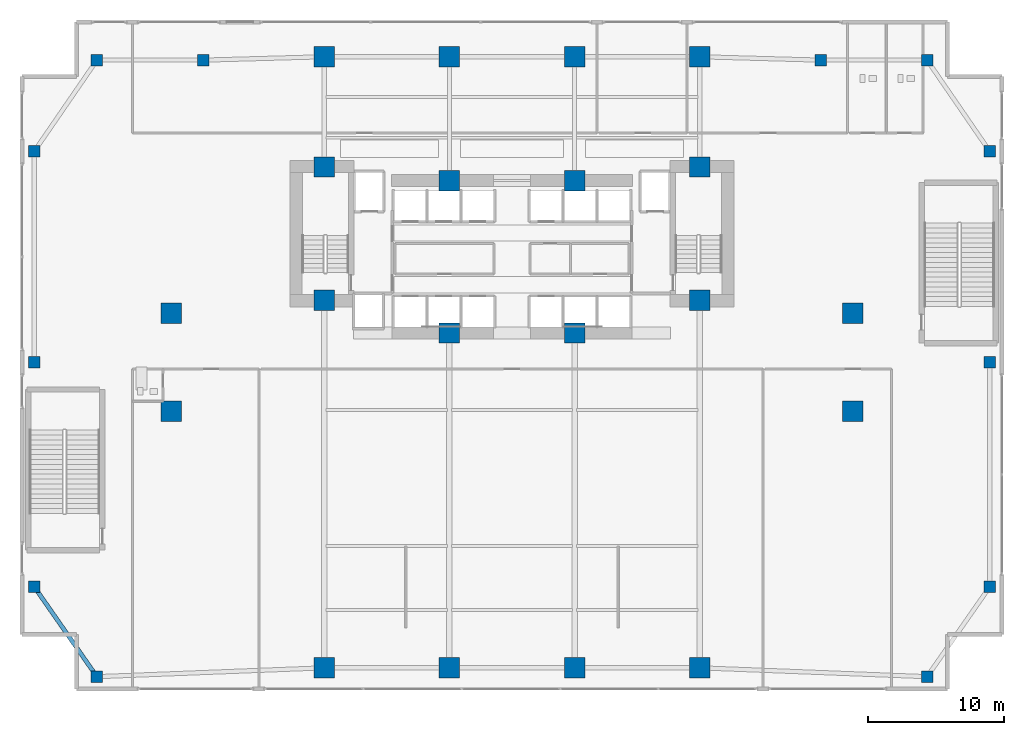
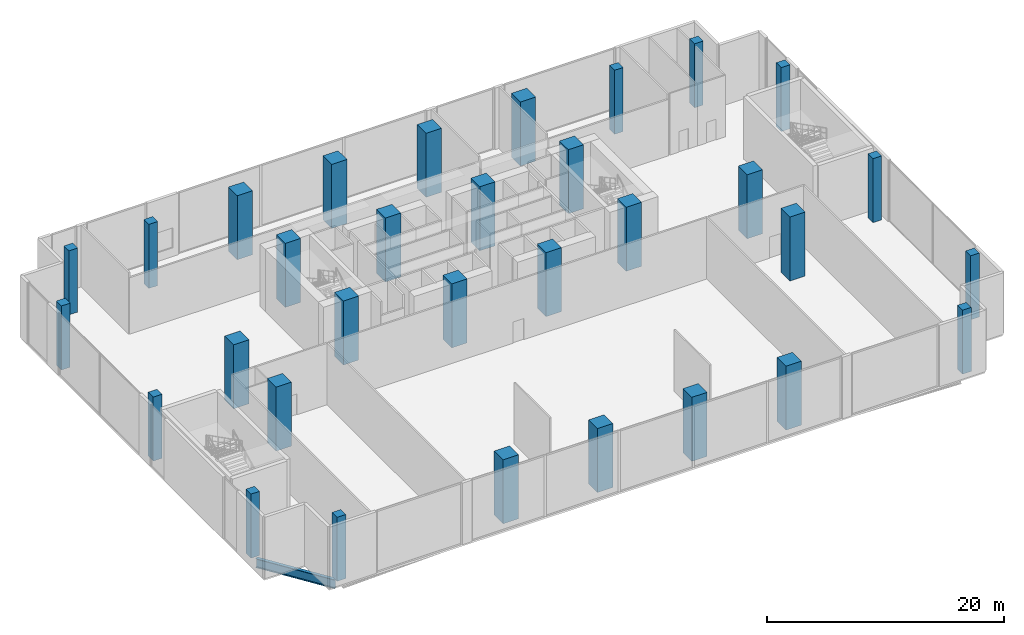
# One storey, part 1 of 30: 32 columns, 1 beam.
"""IFC4 building model written with IfcOpenShell, lengths in metres."""

from ifc_helpers import new_model, si_unit, direction, frame, origin, origin_2d, place, context, subcontext, project, spatial, rectangle, i_section, extrude, material, material_profile, profile_set, type_object, element, save


model = new_model("IFC4")

# Units and contexts
model_context = context("Model", 3, precision=1e-05, world=origin(), true_north=direction((0.0, 1.0)))
body_context = subcontext(model_context, "Body", "Model", "MODEL_VIEW")
ifc_project = project(units=[si_unit("LENGTHUNIT", "METRE"), si_unit("AREAUNIT", "SQUARE_METRE"), si_unit("VOLUMEUNIT", "CUBIC_METRE"), si_unit("PLANEANGLEUNIT", "RADIAN"), si_unit("MASSUNIT", "GRAM", prefix="KILO")], contexts=[model_context])

# Site, building, storey
site_placement = place(None, origin())
site = spatial("IfcSite", under=ifc_project, at=site_placement, CompositionType="ELEMENT")
building_placement = place(site_placement, origin())
building = spatial("IfcBuilding", under=site, at=building_placement, Name="Zuhayl Quay Hotel", CompositionType="ELEMENT")
storey_placement = place(building_placement, frame((0.0, 0.0, 11.39990234375)))
storey = spatial("IfcBuildingStorey", under=building, at=storey_placement, Name="L02", CompositionType="ELEMENT", Elevation=11.39990234375)

# Columns
ifc_material_1 = material(Name="Concrete C70/85", Category="concrete")
ifc_material_profile_1 = material_profile(ifc_material_1, rectangle(XDim=1.5, YDim=1.5, at=origin_2d()), Name="RC1500X1500")
ifc_profile_set_1 = profile_set([ifc_material_profile_1], Name="Concrete C70/85")
column_type_1 = type_object("IfcColumnType", Name="CL_CC1_1500", PredefinedType="COLUMN", material=ifc_profile_set_1)
for number, where, z_axis, x_axis, name in (
    (1, (-13.800048828125, 14.35009765625, 0.0), (0.0, 0.0, 1.0), (1.0, 0.0, 0.0), "L02 Core Column CC_NW"),
    (2, (-4.60009765625, 13.35009765625, 0.0), (0.0, 0.0, 1.0), (1.0, 0.0, 0.0), "L02 Core Column CC_CNW"),
    (3, (4.60009765625, 13.35009765625, 0.0), (0.0, 0.0, 1.0), (1.0, 0.0, 0.0), "L02 Core Column CC_CNE"),
    (4, (13.800048828125, 14.35009765625, 0.0), (0.0, 0.0, 1.0), (1.0, 0.0, 0.0), "L02 Core Column CC_NE"),
    (5, (-13.800048828125, 4.550048828125, 0.0), (0.0, 0.0, 1.0), (1.0, 0.0, 0.0), "L02 Core Column CC_SW"),
    (6, (-4.60009765625, 2.14990234375, 0.0), (0.0, 0.0, 1.0), (1.0, 0.0, 0.0), "L02 Core Column CC_CSW"),
    (7, (4.60009765625, 2.14990234375, 0.0), (0.0, 0.0, 1.0), (1.0, 0.0, 0.0), "L02 Core Column CC_CSE"),
    (8, (13.800048828125, 4.550048828125, 0.0), (0.0, 0.0, 1.0), (1.0, 0.0, 0.0), "L02 Core Column CC_SE"),
):
    element("IfcColumn", number, at=place(storey_placement, frame(where, z_axis=z_axis, x_axis=x_axis)), inside=storey, type_object=column_type_1, Name=name, PredefinedType="COLUMN", context=body_context, shape_type="SweptSolid", body=[
        extrude(rectangle(XDim=1.5, YDim=1.5, at=origin_2d()), origin(), (0.0, 0.0, 1.0), 6.60009765625),
    ])
ifc_material_profile_2 = material_profile(ifc_material_1, rectangle(XDim=1.5, YDim=1.5, at=origin_2d()), Name="RC1500X1500")
ifc_profile_set_2 = profile_set([ifc_material_profile_2], Name="Concrete C70/85")
column_type_2 = type_object("IfcColumnType", Name="CL_MC1_1500", PredefinedType="COLUMN", material=ifc_profile_set_2)
for number, where, z_axis, x_axis, name in (
    (9, (-13.800048828125, -22.449951171875, 0.0), (0.0, 0.0, 1.0), (1.0, 0.0, 0.0), "L02 Mega-Column MC_S1"),
    (10, (-4.60009765625, -22.449951171875, 0.0), (0.0, 0.0, 1.0), (1.0, 0.0, 0.0), "L02 Mega-Column MC_S2"),
    (11, (4.60009765625, -22.449951171875, 0.0), (0.0, 0.0, 1.0), (1.0, 0.0, 0.0), "L02 Mega-Column MC_S3"),
    (12, (13.800048828125, -22.449951171875, 0.0), (0.0, 0.0, 1.0), (1.0, 0.0, 0.0), "L02 Mega-Column MC_S4"),
    (13, (-13.800048828125, 22.449951171875, 0.0), (0.0, 0.0, 1.0), (1.0, 0.0, 0.0), "L02 Mega-Column MC_N1"),
    (14, (-4.60009765625, 22.449951171875, 0.0), (0.0, 0.0, 1.0), (1.0, 0.0, 0.0), "L02 Mega-Column MC_N2"),
    (15, (4.60009765625, 22.449951171875, 0.0), (0.0, 0.0, 1.0), (1.0, 0.0, 0.0), "L02 Mega-Column MC_N3"),
    (16, (13.800048828125, 22.449951171875, 0.0), (0.0, 0.0, 1.0), (1.0, 0.0, 0.0), "L02 Mega-Column MC_N4"),
    (17, (-25.050048828125, -3.60009765625, 0.0), (0.0, 0.0, 1.0), (1.0, 0.0, 0.0), "L02 Mega-Column MC_W1"),
    (18, (-25.050048828125, 3.60009765625, 0.0), (0.0, 0.0, 1.0), (1.0, 0.0, 0.0), "L02 Mega-Column MC_W2"),
    (19, (25.050048828125, -3.60009765625, 0.0), (0.0, 0.0, 1.0), (1.0, 0.0, 0.0), "L02 Mega-Column MC_E1"),
    (20, (25.050048828125, 3.60009765625, 0.0), (0.0, 0.0, 1.0), (1.0, 0.0, 0.0), "L02 Mega-Column MC_E2"),
):
    element("IfcColumn", number, at=place(storey_placement, frame(where, z_axis=z_axis, x_axis=x_axis)), inside=storey, type_object=column_type_2, Name=name, PredefinedType="COLUMN", context=body_context, shape_type="SweptSolid", body=[
        extrude(rectangle(XDim=1.5, YDim=1.5, at=origin_2d()), origin(), (0.0, 0.0, 1.0), 6.60009765625),
    ])
ifc_material_2 = material(Name="Concrete C50/60", Category="concrete")
ifc_material_profile_3 = material_profile(ifc_material_2, rectangle(XDim=0.85009765625, YDim=0.85009765625, at=origin_2d()), Name="RC850X850")
ifc_profile_set_3 = profile_set([ifc_material_profile_3], Name="Concrete C50/60")
column_type_3 = type_object("IfcColumnType", Name="CL_PC1_850", PredefinedType="COLUMN", material=ifc_profile_set_3)
for number, where, z_axis, x_axis, name in (
    (21, (-30.5, -23.10009765625, 0.0), (0.0, 0.0, 1.0), (1.0, 0.0, 0.0), "L02 Podium Column PC_SW"),
    (22, (30.5, -23.10009765625, 0.0), (0.0, 0.0, 1.0), (1.0, 0.0, 0.0), "L02 Podium Column PC_SE"),
    (23, (-30.5, 22.199951171875, 0.0), (0.0, 0.0, 1.0), (1.0, 0.0, 0.0), "L02 Podium Column PC_NW"),
    (24, (30.5, 22.199951171875, 0.0), (0.0, 0.0, 1.0), (1.0, 0.0, 0.0), "L02 Podium Column PC_NE"),
    (25, (-35.10009765625, -16.5, 0.0), (0.0, 0.0, 1.0), (1.0, 0.0, 0.0), "L02 Podium Column PC_W1"),
    (26, (-35.10009765625, 0.0, 0.0), (0.0, 0.0, 1.0), (1.0, 0.0, 0.0), "L02 Podium Column PC_W2"),
    (27, (-35.10009765625, 15.5, 0.0), (0.0, 0.0, 1.0), (1.0, 0.0, 0.0), "L02 Podium Column PC_W3"),
    (28, (35.10009765625, -16.5, 0.0), (0.0, 0.0, 1.0), (1.0, 0.0, 0.0), "L02 Podium Column PC_E1"),
    (29, (35.10009765625, 0.0, 0.0), (0.0, 0.0, 1.0), (1.0, 0.0, 0.0), "L02 Podium Column PC_E2"),
    (30, (35.10009765625, 15.5, 0.0), (0.0, 0.0, 1.0), (1.0, 0.0, 0.0), "L02 Podium Column PC_E3"),
    (31, (-22.699951171875, 22.199951171875, 0.0), (0.0, 0.0, 1.0), (1.0, 0.0, 0.0), "L02 Podium Column PC_N1"),
    (32, (22.699951171875, 22.199951171875, 0.0), (0.0, 0.0, 1.0), (1.0, 0.0, 0.0), "L02 Podium Column PC_N2"),
):
    element("IfcColumn", number, at=place(storey_placement, frame(where, z_axis=z_axis, x_axis=x_axis)), inside=storey, type_object=column_type_3, Name=name, PredefinedType="COLUMN", context=body_context, shape_type="SweptSolid", body=[
        extrude(rectangle(XDim=0.85009765625, YDim=0.85009765625, at=origin_2d()), origin(), (0.0, 0.0, 1.0), 6.60009765625),
    ])

# Beam
ifc_material_3 = material(Name="Steel ASTM A992 Grade 50", Category="steel")
ifc_material_profile_4 = material_profile(ifc_material_3, i_section(OverallWidth=0.306884765625, OverallDepth=0.927001953125, WebThickness=0.019287109375, FlangeThickness=0.031982421875, at=origin_2d()), Name="W36X194")
ifc_profile_set_4 = profile_set([ifc_material_profile_4], Name="Steel ASTM A992 Grade 50")
beam_type = type_object("IfcBeamType", Name="BM_PG2_W36X194", PredefinedType="BEAM", material=ifc_profile_set_4)
beam_placement = place(storey_placement, frame((-30.6943359375, -22.821044921875, -0.723388671875), z_axis=(-0.571785900762, 0.820402878889, 0.0), x_axis=(-0.820402878889, -0.571785900762, 0.0)))
element("IfcBeam", 33, at=beam_placement, inside=storey, type_object=beam_type, Name="L02 Floor Beam PG_W_L02_0", PredefinedType="BEAM", context=body_context, shape_type="SweptSolid", body=[
    extrude(i_section(OverallWidth=0.306884765625, OverallDepth=0.927001953125, WebThickness=0.019287109375, FlangeThickness=0.031982421875, at=origin_2d()), origin(), (0.0, 0.0, 1.0), 7.364990234375),
])

save(model, "model.ifc")
